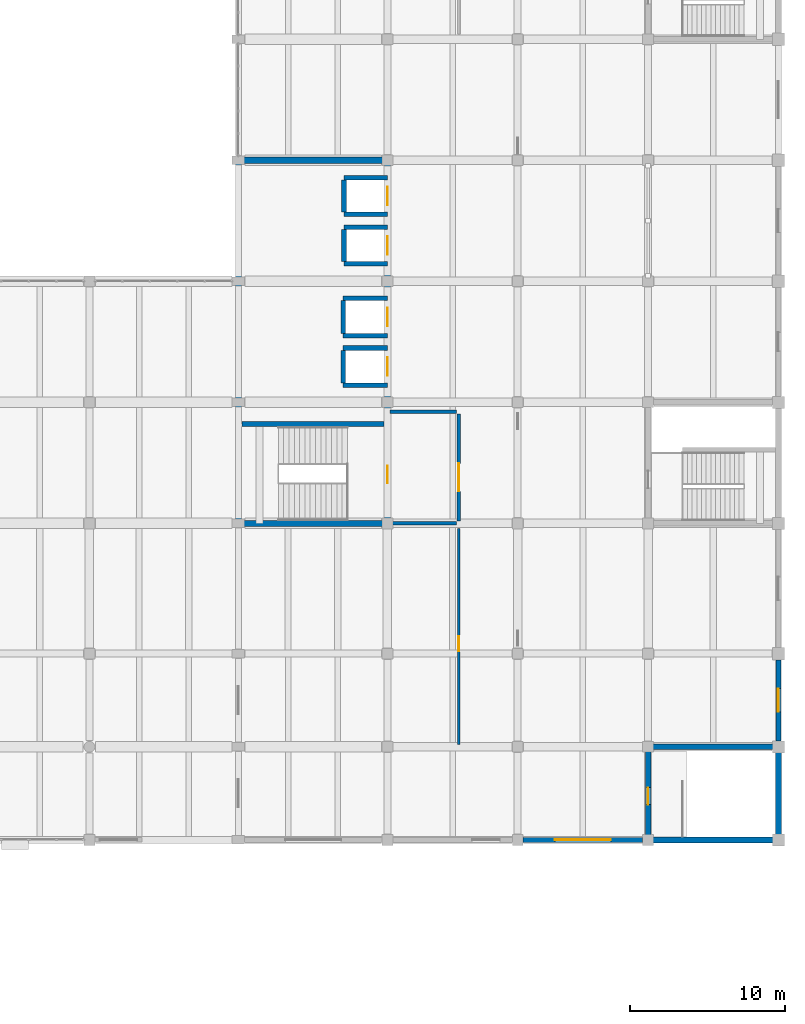
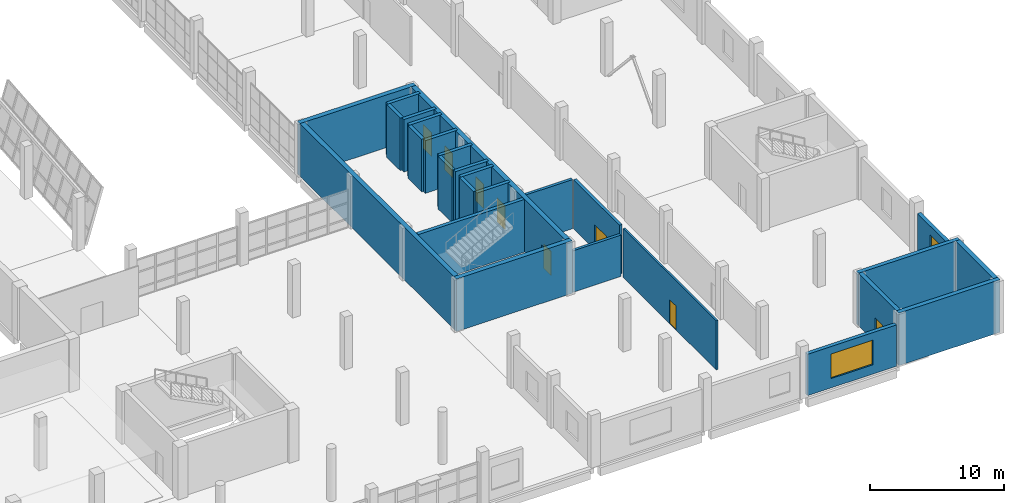
# One storey, part 84 of 91: 27 walls, 8 doors, 2 windows, 10 openings.
"""IFC4 building model written with IfcOpenShell, lengths in metres."""

from ifc_helpers import new_model, si_unit, direction, frame, frame_2d, origin, place, context, subcontext, project, spatial, rectangle, extrude, material, layer, layer_set, type_object, element, fill, save


model = new_model("IFC4")

# Units and contexts
model_context = context("Model", 3, precision=1e-05, world=origin(), true_north=direction((0.0, 1.0)))
body_context = subcontext(model_context, "Body", "Model", "MODEL_VIEW")
ifc_project = project(units=[si_unit("LENGTHUNIT", "METRE"), si_unit("AREAUNIT", "SQUARE_METRE"), si_unit("VOLUMEUNIT", "CUBIC_METRE"), si_unit("PLANEANGLEUNIT", "RADIAN"), si_unit("MASSUNIT", "GRAM", prefix="KILO")], contexts=[model_context])

# Site, building, storey
site_placement = place(None, origin())
site = spatial("IfcSite", under=ifc_project, at=site_placement, CompositionType="ELEMENT")
building_placement = place(site_placement, origin())
building = spatial("IfcBuilding", under=site, at=building_placement, Name="Pellamere Symphony Hall", CompositionType="ELEMENT")
storey_placement = place(building_placement, frame((0.0, 0.0, 5.39990234375)))
storey = spatial("IfcBuildingStorey", under=building, at=storey_placement, Name="L01", CompositionType="ELEMENT", Elevation=5.39990234375)

# Wall, opening, window
ifc_material_1 = material(Name="Precast concrete 40 MPa", Category="concrete")
ifc_layer_1 = layer(ifc_material_1, 0.320068359375, Name="Precast concrete 40 MPa")
ifc_layer_set_1 = layer_set([ifc_layer_1], Name="Precast concrete 40 MPa")
wall_type_1 = type_object("IfcWallType", Name="Exterior Wall EW-02 320mm", PredefinedType="SOLIDWALL", material=ifc_layer_set_1)
wall_1_placement = place(storey_placement, frame((156.35009765625, 18.0, 0.0), z_axis=(0.0, 0.0, 1.0), x_axis=(1.0, 0.0, 0.0)))
wall_1 = element("IfcWall", 1, at=wall_1_placement, inside=storey, type_object=wall_type_1, Name="Exterior Wall EW-02-084 (L01)", PredefinedType="SOLIDWALL", context=body_context, shape_type="SweptSolid", body=[
    extrude(rectangle(XDim=7.699951171875, YDim=0.320068359375, at=frame_2d((3.85009765625, 0.0))), origin(), (0.0, 0.0, 1.0), 3.780029296875),
])
opening_1_placement = place(wall_1_placement, frame((2.050048828125, 0.0, 0.85009765625)))
opening_1 = element("IfcOpeningElement", 2, at=opening_1_placement, cuts=wall_1, Name="Opening W049", PredefinedType="OPENING", context=body_context, shape_type="SweptSolid", body=[
    extrude(rectangle(XDim=3.60009765625, YDim=2.25, at=frame_2d((1.800048828125, 1.125))), frame((0.0, 0.169921875, 0.0), z_axis=(0.0, -1.0, 0.0), x_axis=(1.0, 0.0, 0.0)), (0.0, 0.0, 1.0), 0.340087890625),
])
ifc_material_2 = material(Name="Thermally Broken Aluminium Triple-Glazed Acoustic Window", Category="aluminium")
window_type_1 = type_object("IfcWindowType", Name="Window WN-05 3600x2250", PartitioningType="TRIPLE_PANEL_VERTICAL", PredefinedType="WINDOW", material=ifc_material_2)
window_1_placement = place(opening_1_placement, origin())
window_1 = element("IfcWindow", 3, at=window_1_placement, inside=storey, type_object=window_type_1, Name="Exterior Window W049 (L01)", OverallHeight=2.25, OverallWidth=3.60009765625, PartitioningType="SINGLE_PANEL", PredefinedType="WINDOW", context=body_context, shape_type="SweptSolid", body=[
    extrude(rectangle(XDim=3.60009765625, YDim=2.25, at=frame_2d((1.800048828125, 1.125))), frame((0.0, 0.030029296875, 0.0), z_axis=(0.0, -1.0, 0.0), x_axis=(1.0, 0.0, 0.0)), (0.0, 0.0, 1.0), 0.06005859375),
])
fill(opening_1, window_1)

wall_2_placement = place(storey_placement, frame((172.800048828125, 24.389892578125, 0.0), z_axis=(0.0, 0.0, 1.0), x_axis=(0.0, 1.0, 0.0)))
wall_2 = element("IfcWall", 4, at=wall_2_placement, inside=storey, type_object=wall_type_1, Name="Exterior Wall EW-02-087 (L01)", PredefinedType="SOLIDWALL", context=body_context, shape_type="SweptSolid", body=[
    extrude(rectangle(XDim=5.22021484375, YDim=0.320068359375, at=frame_2d((2.610107421875, 0.0))), origin(), (0.0, 0.0, 1.0), 3.800048828125),
])
opening_2_placement = place(wall_2_placement, frame((1.860107421875, 0.0, 0.89990234375)))
opening_2 = element("IfcOpeningElement", 5, at=opening_2_placement, cuts=wall_2, Name="Opening W052", PredefinedType="OPENING", context=body_context, shape_type="SweptSolid", body=[
    extrude(rectangle(XDim=1.5, YDim=2.10009765625, at=frame_2d((0.75, 1.050048828125))), frame((0.0, 0.169921875, 0.0), z_axis=(0.0, -1.0, 0.0), x_axis=(1.0, 0.0, 0.0)), (0.0, 0.0, 1.0), 0.340087890625),
])
window_type_2 = type_object("IfcWindowType", Name="Window WN-01 1500x2100", PartitioningType="SINGLE_PANEL", PredefinedType="WINDOW", material=ifc_material_2)
window_2_placement = place(opening_2_placement, origin())
window_2 = element("IfcWindow", 6, at=window_2_placement, inside=storey, type_object=window_type_2, Name="Exterior Window W052 (L01)", OverallHeight=2.10009765625, OverallWidth=1.5, PartitioningType="SINGLE_PANEL", PredefinedType="WINDOW", context=body_context, shape_type="SweptSolid", body=[
    extrude(rectangle(XDim=1.5, YDim=2.10009765625, at=frame_2d((0.75, 1.050048828125))), frame((0.0, 0.030029296875, 0.0), z_axis=(0.0, -1.0, 0.0), x_axis=(1.0, 0.0, 0.0)), (0.0, 0.0, 1.0), 0.06005859375),
])
fill(opening_2, window_2)

# Walls
ifc_material_3 = material(Name="Double-Stud STC-65 Acoustic Drywall Partition", Category="gypsum")
ifc_layer_2 = layer(ifc_material_3, 0.239990234375, Name="Double-Stud STC-65 Acoustic Drywall Partition")
ifc_layer_set_2 = layer_set([ifc_layer_2], Name="Double-Stud STC-65 Acoustic Drywall Partition")
wall_type_2 = type_object("IfcWallType", Name="Interior Partition IW-01 240mm", PredefinedType="PARTITIONING", material=ifc_layer_set_2)
wall_3_placement = place(storey_placement, frame((147.760009765625, 38.39990234375, 0.0), z_axis=(0.0, 0.0, 1.0), x_axis=(1.0, 0.0, 0.0)))
element("IfcWall", 7, at=wall_3_placement, inside=storey, type_object=wall_type_2, Name="Interior Partition IW-01-027 (L01)", PredefinedType="PARTITIONING", context=body_context, shape_type="SweptSolid", body=[
    extrude(rectangle(XDim=4.280029296875, YDim=0.239990234375, at=frame_2d((2.14013671875, 0.0))), origin(), (0.0, 0.0, 1.0), 3.780029296875),
])
wall_4_placement = place(storey_placement, frame((147.760009765625, 45.60009765625, 0.0), z_axis=(0.0, 0.0, 1.0), x_axis=(1.0, 0.0, 0.0)))
element("IfcWall", 8, at=wall_4_placement, inside=storey, type_object=wall_type_2, Name="Interior Partition IW-01-028 (L01)", PredefinedType="PARTITIONING", context=body_context, shape_type="SweptSolid", body=[
    extrude(rectangle(XDim=4.280029296875, YDim=0.239990234375, at=frame_2d((2.14013671875, 0.0))), origin(), (0.0, 0.0, 1.0), 4.489990234375),
])

# Wall, opening, door
wall_5_placement = place(storey_placement, frame((152.199951171875, 38.56005859375, 0.0), z_axis=(0.0, 0.0, 1.0), x_axis=(0.0, 1.0, 0.0)))
wall_5 = element("IfcWall", 9, at=wall_5_placement, inside=storey, type_object=wall_type_2, Name="Interior Partition IW-01-029 (L01)", PredefinedType="PARTITIONING", context=body_context, shape_type="SweptSolid", body=[
    extrude(rectangle(XDim=6.8798828125, YDim=0.239990234375, at=frame_2d((3.43994140625, 0.0))), origin(), (0.0, 0.0, 1.0), 4.489990234375),
])
opening_3_placement = place(wall_5_placement, frame((1.89990234375, 0.0, 0.0)))
opening_3 = element("IfcOpeningElement", 10, at=opening_3_placement, cuts=wall_5, Name="Opening FD-13", PredefinedType="OPENING", context=body_context, shape_type="SweptSolid", body=[
    extrude(rectangle(XDim=1.800048828125, YDim=2.300048828125, at=frame_2d((0.89990234375, 1.14990234375))), frame((0.0, 0.1298828125, 0.0), z_axis=(0.0, -1.0, 0.0), x_axis=(1.0, 0.0, 0.0)), (0.0, 0.0, 1.0), 0.260009765625),
])
ifc_material_4 = material(Name="Fire-Rated Cross-Corridor Double Door", Category="wood")
door_type_1 = type_object("IfcDoorType", Name="Interior Door ID-FD1 1800x2300", OperationType="NOTDEFINED", PredefinedType="DOOR", material=ifc_material_4)
door_1_placement = place(opening_3_placement, origin())
door_1 = element("IfcDoor", 11, at=door_1_placement, inside=storey, type_object=door_type_1, Name="Firefighting Lobby C2 Foyer Entry Door (L01)", OperationType="DOUBLE_DOOR_SINGLE_SWING", OverallHeight=2.300048828125, OverallWidth=1.800048828125, PredefinedType="DOOR", context=body_context, shape_type="SweptSolid", body=[
    extrude(rectangle(XDim=1.800048828125, YDim=2.300048828125, at=frame_2d((0.89990234375, 1.14990234375))), frame((0.0, 0.02490234375, 0.0), z_axis=(0.0, -1.0, 0.0), x_axis=(1.0, 0.0, 0.0)), (0.0, 0.0, 1.0), 0.050048828125),
])
fill(opening_3, door_1)

ifc_material_5 = material(Name="Practice Room STC-55 Isolated Stud Partition", Category="gypsum")
ifc_layer_3 = layer(ifc_material_5, 0.159912109375, Name="Practice Room STC-55 Isolated Stud Partition")
ifc_layer_set_3 = layer_set([ifc_layer_3], Name="Practice Room STC-55 Isolated Stud Partition")
wall_type_3 = type_object("IfcWallType", Name="Interior Partition IW-03 160mm", PredefinedType="PARTITIONING", material=ifc_layer_set_3)
wall_6_placement = place(storey_placement, frame((152.199951171875, 24.159912109375, 0.0), z_axis=(0.0, 0.0, 1.0), x_axis=(0.0, 1.0, 0.0)))
wall_6 = element("IfcWall", 12, at=wall_6_placement, inside=storey, type_object=wall_type_3, Name="Interior Partition IW-03-077 (L01)", PredefinedType="PARTITIONING", context=body_context, shape_type="SweptSolid", body=[
    extrude(rectangle(XDim=13.900146484375, YDim=0.159912109375, at=frame_2d((6.9501953125, 0.0))), origin(), (0.0, 0.0, 1.0), 4.489990234375),
])
opening_4_placement = place(wall_6_placement, frame((6.0, 0.0, 0.0)))
opening_4 = element("IfcOpeningElement", 13, at=opening_4_placement, cuts=wall_6, Name="Opening ID-AD3-037", PredefinedType="OPENING", context=body_context, shape_type="SweptSolid", body=[
    extrude(rectangle(XDim=0.97998046875, YDim=2.199951171875, at=frame_2d((0.489990234375, 1.10009765625))), frame((0.0, 0.08984375, 0.0), z_axis=(0.0, -1.0, 0.0), x_axis=(1.0, 0.0, 0.0)), (0.0, 0.0, 1.0), 0.179931640625),
])
ifc_material_6 = material(Name="STC-48 Acoustic Practice Room Door", Category="wood")
door_type_2 = type_object("IfcDoorType", Name="Interior Door ID-AD3 980x2200", OperationType="NOTDEFINED", PredefinedType="DOOR", material=ifc_material_6)
door_2_placement = place(opening_4_placement, origin())
door_2 = element("IfcDoor", 14, at=door_2_placement, inside=storey, type_object=door_type_2, Name="Strings Practice Suite A Door", OperationType="SINGLE_SWING_LEFT", OverallHeight=2.199951171875, OverallWidth=0.97998046875, PredefinedType="DOOR", context=body_context, shape_type="SweptSolid", body=[
    extrude(rectangle(XDim=0.97998046875, YDim=2.199951171875, at=frame_2d((0.489990234375, 1.10009765625))), frame((0.0, 0.02490234375, 0.0), z_axis=(0.0, -1.0, 0.0), x_axis=(1.0, 0.0, 0.0)), (0.0, 0.0, 1.0), 0.050048828125),
])
fill(opening_4, door_2)

# Walls
ifc_material_7 = material(Name="Concrete 50 MPa", Category="concrete")
ifc_layer_4 = layer(ifc_material_7, 0.39990234375, Name="Concrete 50 MPa")
ifc_layer_set_4 = layer_set([ifc_layer_4], Name="Concrete 50 MPa")
wall_type_4 = type_object("IfcWallType", Name="Structural Wall SW-02 400mm", PredefinedType="SHEAR", material=ifc_layer_set_4)
for number, where, z_axis, x_axis, name in (
    (15, (137.800048828125, 38.39990234375, 0.0), (0.0, 0.0, 1.0), (1.0, 0.0, 0.0), "Core Shear Wall C2 S (L01)"),
    (16, (137.800048828125, 61.800048828125, 0.0), (0.0, 0.0, 1.0), (1.0, 0.0, 0.0), "Core Shear Wall C2 N (L01)"),
):
    element("IfcWall", number, at=place(storey_placement, frame(where, z_axis=z_axis, x_axis=x_axis)), inside=storey, type_object=wall_type_4, Name=name, PredefinedType="SHEAR", context=body_context, shape_type="SweptSolid", body=[
        extrude(rectangle(XDim=10.0, YDim=0.39990234375, at=frame_2d((5.0, 0.0))), origin(), (0.0, 0.0, 1.0), 4.800048828125),
    ])
wall_7_placement = place(storey_placement, frame((138.0, 38.60009765625, 0.0), z_axis=(0.0, 0.0, 1.0), x_axis=(0.0, 1.0, 0.0)))
element("IfcWall", 17, at=wall_7_placement, inside=storey, type_object=wall_type_4, Name="Core Shear Wall C2 W (L01)", PredefinedType="SHEAR", context=body_context, shape_type="SweptSolid", body=[
    extrude(rectangle(XDim=23.0, YDim=0.39990234375, at=frame_2d((11.5, 0.0))), origin(), (0.0, 0.0, 1.0), 4.800048828125),
])

# Wall, openings, doors
wall_8_placement = place(storey_placement, frame((147.60009765625, 38.60009765625, 0.0), z_axis=(0.0, 0.0, 1.0), x_axis=(0.0, 1.0, 0.0)))
wall_8 = element("IfcWall", 18, at=wall_8_placement, inside=storey, type_object=wall_type_4, Name="Core Shear Wall C2 E (L01)", PredefinedType="SHEAR", context=body_context, shape_type="SweptSolid", body=[
    extrude(rectangle(XDim=23.0, YDim=0.39990234375, at=frame_2d((11.5, 0.0))), origin(), (0.0, 0.0, 1.0), 4.800048828125),
])
opening_5_placement = place(wall_8_placement, frame((9.300048828125, 0.0, 0.0)))
opening_5 = element("IfcOpeningElement", 19, at=opening_5_placement, cuts=wall_8, Name="Opening LD-15", PredefinedType="OPENING", context=body_context, shape_type="SweptSolid", body=[
    extrude(rectangle(XDim=1.199951171875, YDim=2.199951171875, at=frame_2d((0.60009765625, 1.10009765625))), frame((0.0, 0.2099609375, 0.0), z_axis=(0.0, -1.0, 0.0), x_axis=(1.0, 0.0, 0.0)), (0.0, 0.0, 1.0), 0.419921875),
])
opening_6_placement = place(wall_8_placement, frame((12.5, 0.0, 0.0)))
opening_6 = element("IfcOpeningElement", 20, at=opening_6_placement, cuts=wall_8, Name="Opening LD-23", PredefinedType="OPENING", context=body_context, shape_type="SweptSolid", body=[
    extrude(rectangle(XDim=1.199951171875, YDim=2.199951171875, at=frame_2d((0.60009765625, 1.10009765625))), frame((0.0, 0.2099609375, 0.0), z_axis=(0.0, -1.0, 0.0), x_axis=(1.0, 0.0, 0.0)), (0.0, 0.0, 1.0), 0.419921875),
])
opening_7_placement = place(wall_8_placement, frame((17.10009765625, 0.0, 0.0)))
opening_7 = element("IfcOpeningElement", 21, at=opening_7_placement, cuts=wall_8, Name="Opening LD-31", PredefinedType="OPENING", context=body_context, shape_type="SweptSolid", body=[
    extrude(rectangle(XDim=1.199951171875, YDim=2.199951171875, at=frame_2d((0.60009765625, 1.10009765625))), frame((0.0, 0.2099609375, 0.0), z_axis=(0.0, -1.0, 0.0), x_axis=(1.0, 0.0, 0.0)), (0.0, 0.0, 1.0), 0.419921875),
])
opening_8_placement = place(wall_8_placement, frame((20.300048828125, 0.0, 0.0)))
opening_8 = element("IfcOpeningElement", 22, at=opening_8_placement, cuts=wall_8, Name="Opening LD-38", PredefinedType="OPENING", context=body_context, shape_type="SweptSolid", body=[
    extrude(rectangle(XDim=1.199951171875, YDim=2.199951171875, at=frame_2d((0.60009765625, 1.10009765625))), frame((0.0, 0.2099609375, 0.0), z_axis=(0.0, -1.0, 0.0), x_axis=(1.0, 0.0, 0.0)), (0.0, 0.0, 1.0), 0.419921875),
])
opening_9_placement = place(wall_8_placement, frame((2.39990234375, 0.0, 0.0)))
opening_9 = element("IfcOpeningElement", 23, at=opening_9_placement, cuts=wall_8, Name="Opening SD-09", PredefinedType="OPENING", context=body_context, shape_type="SweptSolid", body=[
    extrude(rectangle(XDim=1.10009765625, YDim=2.199951171875, at=frame_2d((0.550048828125, 1.10009765625))), frame((0.0, 0.2099609375, 0.0), z_axis=(0.0, -1.0, 0.0), x_axis=(1.0, 0.0, 0.0)), (0.0, 0.0, 1.0), 0.419921875),
])
ifc_material_8 = material(Name="Stainless Steel AISI 316 Elevator Landing Door", Category="steel")
door_type_3 = type_object("IfcDoorType", Name="Interior Door ID-LD1 1200x2200", OperationType="NOTDEFINED", PredefinedType="DOOR", material=ifc_material_8)
door_3_placement = place(opening_5_placement, origin())
door_3 = element("IfcDoor", 24, at=door_3_placement, inside=storey, type_object=door_type_3, Name="Elevator FFL1 Sliding Landing Door (L01)", OperationType="SLIDING_TO_LEFT", OverallHeight=2.199951171875, OverallWidth=1.199951171875, PredefinedType="DOOR", context=body_context, shape_type="SweptSolid", body=[
    extrude(rectangle(XDim=1.199951171875, YDim=2.199951171875, at=frame_2d((0.60009765625, 1.10009765625))), frame((0.0, 0.02490234375, 0.0), z_axis=(0.0, -1.0, 0.0), x_axis=(1.0, 0.0, 0.0)), (0.0, 0.0, 1.0), 0.050048828125),
])
fill(opening_5, door_3)
door_4_placement = place(opening_6_placement, origin())
door_4 = element("IfcDoor", 25, at=door_4_placement, inside=storey, type_object=door_type_3, Name="Elevator FFL2 Sliding Landing Door (L01)", OperationType="SLIDING_TO_LEFT", OverallHeight=2.199951171875, OverallWidth=1.199951171875, PredefinedType="DOOR", context=body_context, shape_type="SweptSolid", body=[
    extrude(rectangle(XDim=1.199951171875, YDim=2.199951171875, at=frame_2d((0.60009765625, 1.10009765625))), frame((0.0, 0.02490234375, 0.0), z_axis=(0.0, -1.0, 0.0), x_axis=(1.0, 0.0, 0.0)), (0.0, 0.0, 1.0), 0.050048828125),
])
fill(opening_6, door_4)
door_5_placement = place(opening_7_placement, origin())
door_5 = element("IfcDoor", 26, at=door_5_placement, inside=storey, type_object=door_type_3, Name="Elevator PL3 Sliding Landing Door (L01)", OperationType="SLIDING_TO_LEFT", OverallHeight=2.199951171875, OverallWidth=1.199951171875, PredefinedType="DOOR", context=body_context, shape_type="SweptSolid", body=[
    extrude(rectangle(XDim=1.199951171875, YDim=2.199951171875, at=frame_2d((0.60009765625, 1.10009765625))), frame((0.0, 0.02490234375, 0.0), z_axis=(0.0, -1.0, 0.0), x_axis=(1.0, 0.0, 0.0)), (0.0, 0.0, 1.0), 0.050048828125),
])
fill(opening_7, door_5)
door_6_placement = place(opening_8_placement, origin())
door_6 = element("IfcDoor", 27, at=door_6_placement, inside=storey, type_object=door_type_3, Name="Elevator PL4 Sliding Landing Door (L01)", OperationType="SLIDING_TO_RIGHT", OverallHeight=2.199951171875, OverallWidth=1.199951171875, PredefinedType="DOOR", context=body_context, shape_type="SweptSolid", body=[
    extrude(rectangle(XDim=1.199951171875, YDim=2.199951171875, at=frame_2d((0.60009765625, 1.10009765625))), frame((0.0, 0.02490234375, 0.0), z_axis=(0.0, -1.0, 0.0), x_axis=(1.0, 0.0, 0.0)), (0.0, 0.0, 1.0), 0.050048828125),
])
fill(opening_8, door_6)
ifc_material_9 = material(Name="Fire-Rated Steel Exit Stair Door", Category="steel")
door_type_4 = type_object("IfcDoorType", Name="Interior Door ID-SD1 1100x2200", OperationType="NOTDEFINED", PredefinedType="DOOR", material=ifc_material_9)
door_7_placement = place(opening_9_placement, origin())
door_7 = element("IfcDoor", 28, at=door_7_placement, inside=storey, type_object=door_type_4, Name="Core C2 Exit Stair Door (L01)", OperationType="SINGLE_SWING_LEFT", OverallHeight=2.199951171875, OverallWidth=1.10009765625, PredefinedType="DOOR", context=body_context, shape_type="SweptSolid", body=[
    extrude(rectangle(XDim=1.10009765625, YDim=2.199951171875, at=frame_2d((0.550048828125, 1.10009765625))), frame((0.0, 0.02490234375, 0.0), z_axis=(0.0, -1.0, 0.0), x_axis=(1.0, 0.0, 0.0)), (0.0, 0.0, 1.0), 0.050048828125),
])
fill(opening_9, door_7)

# Wall
ifc_material_10 = material(Name="Concrete 40 MPa", Category="concrete")
ifc_layer_5 = layer(ifc_material_10, 0.35009765625, Name="Concrete 40 MPa")
ifc_layer_set_5 = layer_set([ifc_layer_5], Name="Concrete 40 MPa")
wall_type_5 = type_object("IfcWallType", Name="Structural Wall SW-03 350mm", PredefinedType="SHEAR", material=ifc_layer_set_5)
wall_9_placement = place(storey_placement, frame((164.22509765625, 24.0, 0.0), z_axis=(0.0, 0.0, 1.0), x_axis=(1.0, 0.0, 0.0)))
element("IfcWall", 29, at=wall_9_placement, inside=storey, type_object=wall_type_5, Name="Stair ST12 Enclosure Wall N (L01)", PredefinedType="SHEAR", context=body_context, shape_type="SweptSolid", body=[
    extrude(rectangle(XDim=8.75, YDim=0.35009765625, at=frame_2d((4.375, 0.0))), origin(), (0.0, 0.0, 1.0), 4.800048828125),
])

# Wall, opening, door
wall_10_placement = place(storey_placement, frame((164.39990234375, 18.175048828125, 0.0), z_axis=(0.0, 0.0, 1.0), x_axis=(0.0, 1.0, 0.0)))
wall_10 = element("IfcWall", 30, at=wall_10_placement, inside=storey, type_object=wall_type_5, Name="Stair ST12 Enclosure Wall W (L01)", PredefinedType="SHEAR", context=body_context, shape_type="SweptSolid", body=[
    extrude(rectangle(XDim=5.64990234375, YDim=0.35009765625, at=frame_2d((2.824951171875, 0.0))), origin(), (0.0, 0.0, 1.0), 4.800048828125),
])
opening_10_placement = place(wall_10_placement, frame((2.10009765625, 0.0, 0.0)))
opening_10 = element("IfcOpeningElement", 31, at=opening_10_placement, cuts=wall_10, Name="Opening SD-57", PredefinedType="OPENING", context=body_context, shape_type="SweptSolid", body=[
    extrude(rectangle(XDim=1.10009765625, YDim=2.199951171875, at=frame_2d((0.550048828125, 1.10009765625))), frame((0.0, 0.18505859375, 0.0), z_axis=(0.0, -1.0, 0.0), x_axis=(1.0, 0.0, 0.0)), (0.0, 0.0, 1.0), 0.3701171875),
])
door_8_placement = place(opening_10_placement, frame((1.10009765625, 0.0, 0.0), z_axis=(0.0, 0.0, 1.0), x_axis=(-1.0, 0.0, 0.0)))
door_8 = element("IfcDoor", 32, at=door_8_placement, inside=storey, type_object=door_type_4, Name="Exit Stair ST12 Door (L01)", OperationType="SINGLE_SWING_LEFT", OverallHeight=2.199951171875, OverallWidth=1.10009765625, PredefinedType="DOOR", context=body_context, shape_type="SweptSolid", body=[
    extrude(rectangle(XDim=1.10009765625, YDim=2.199951171875, at=frame_2d((0.550048828125, 1.10009765625))), frame((0.0, 0.02490234375, 0.0), z_axis=(0.0, -1.0, 0.0), x_axis=(1.0, 0.0, 0.0)), (0.0, 0.0, 1.0), 0.050048828125),
])
fill(opening_10, door_8)

# Walls
ifc_layer_6 = layer(ifc_material_10, 0.300048828125, Name="Concrete 40 MPa")
ifc_layer_set_6 = layer_set([ifc_layer_6], Name="Concrete 40 MPa")
wall_type_6 = type_object("IfcWallType", Name="Structural Wall SW-04 300mm", PredefinedType="SHEAR", material=ifc_layer_set_6)
for number, where, z_axis, x_axis, name in (
    (33, (144.75, 47.300048828125, 0.0), (0.0, 0.0, 1.0), (1.0, 0.0, 0.0), "Elevator FFL1 Hoistway Wall S (L01)"),
    (34, (144.75, 49.699951171875, 0.0), (0.0, 0.0, 1.0), (1.0, 0.0, 0.0), "Elevator FFL1 Hoistway Wall N (L01)"),
):
    element("IfcWall", number, at=place(storey_placement, frame(where, z_axis=z_axis, x_axis=x_axis)), inside=storey, type_object=wall_type_6, Name=name, PredefinedType="SHEAR", context=body_context, shape_type="SweptSolid", body=[
        extrude(rectangle(XDim=2.85009765625, YDim=0.300048828125, at=frame_2d((1.425048828125, 0.0))), origin(), (0.0, 0.0, 1.0), 4.800048828125),
    ])
wall_11_placement = place(storey_placement, frame((144.75, 47.449951171875, 0.0), z_axis=(0.0, 0.0, 1.0), x_axis=(0.0, 1.0, 0.0)))
element("IfcWall", 35, at=wall_11_placement, inside=storey, type_object=wall_type_6, Name="Elevator FFL1 Hoistway Wall W (L01)", PredefinedType="SHEAR", context=body_context, shape_type="SweptSolid", body=[
    extrude(rectangle(XDim=2.10009765625, YDim=0.300048828125, at=frame_2d((1.050048828125, 0.0))), origin(), (0.0, 0.0, 1.0), 4.800048828125),
])
for number, where, z_axis, x_axis, name in (
    (36, (144.75, 50.5, 0.0), (0.0, 0.0, 1.0), (1.0, 0.0, 0.0), "Elevator FFL2 Hoistway Wall S (L01)"),
    (37, (144.75, 52.89990234375, 0.0), (0.0, 0.0, 1.0), (1.0, 0.0, 0.0), "Elevator FFL2 Hoistway Wall N (L01)"),
):
    element("IfcWall", number, at=place(storey_placement, frame(where, z_axis=z_axis, x_axis=x_axis)), inside=storey, type_object=wall_type_6, Name=name, PredefinedType="SHEAR", context=body_context, shape_type="SweptSolid", body=[
        extrude(rectangle(XDim=2.85009765625, YDim=0.300048828125, at=frame_2d((1.425048828125, 0.0))), origin(), (0.0, 0.0, 1.0), 4.800048828125),
    ])
wall_12_placement = place(storey_placement, frame((144.75, 50.64990234375, 0.0), z_axis=(0.0, 0.0, 1.0), x_axis=(0.0, 1.0, 0.0)))
element("IfcWall", 38, at=wall_12_placement, inside=storey, type_object=wall_type_6, Name="Elevator FFL2 Hoistway Wall W (L01)", PredefinedType="SHEAR", context=body_context, shape_type="SweptSolid", body=[
    extrude(rectangle(XDim=2.10009765625, YDim=0.300048828125, at=frame_2d((1.050048828125, 0.0))), origin(), (0.0, 0.0, 1.0), 4.800048828125),
])
for number, where, z_axis, x_axis, name in (
    (39, (144.800048828125, 55.125, 0.0), (0.0, 0.0, 1.0), (1.0, 0.0, 0.0), "Elevator PL3 Hoistway Wall S (L01)"),
    (40, (144.800048828125, 57.47509765625, 0.0), (0.0, 0.0, 1.0), (1.0, 0.0, 0.0), "Elevator PL3 Hoistway Wall N (L01)"),
):
    element("IfcWall", number, at=place(storey_placement, frame(where, z_axis=z_axis, x_axis=x_axis)), inside=storey, type_object=wall_type_6, Name=name, PredefinedType="SHEAR", context=body_context, shape_type="SweptSolid", body=[
        extrude(rectangle(XDim=2.800048828125, YDim=0.300048828125, at=frame_2d((1.39990234375, 0.0))), origin(), (0.0, 0.0, 1.0), 4.800048828125),
    ])
wall_13_placement = place(storey_placement, frame((144.800048828125, 55.27490234375, 0.0), z_axis=(0.0, 0.0, 1.0), x_axis=(0.0, 1.0, 0.0)))
element("IfcWall", 41, at=wall_13_placement, inside=storey, type_object=wall_type_6, Name="Elevator PL3 Hoistway Wall W (L01)", PredefinedType="SHEAR", context=body_context, shape_type="SweptSolid", body=[
    extrude(rectangle(XDim=2.050048828125, YDim=0.300048828125, at=frame_2d((1.02490234375, 0.0))), origin(), (0.0, 0.0, 1.0), 4.800048828125),
])
for number, where, z_axis, x_axis, name in (
    (42, (144.800048828125, 58.324951171875, 0.0), (0.0, 0.0, 1.0), (1.0, 0.0, 0.0), "Elevator PL4 Hoistway Wall S (L01)"),
    (43, (144.800048828125, 60.675048828125, 0.0), (0.0, 0.0, 1.0), (1.0, 0.0, 0.0), "Elevator PL4 Hoistway Wall N (L01)"),
):
    element("IfcWall", number, at=place(storey_placement, frame(where, z_axis=z_axis, x_axis=x_axis)), inside=storey, type_object=wall_type_6, Name=name, PredefinedType="SHEAR", context=body_context, shape_type="SweptSolid", body=[
        extrude(rectangle(XDim=2.800048828125, YDim=0.300048828125, at=frame_2d((1.39990234375, 0.0))), origin(), (0.0, 0.0, 1.0), 4.800048828125),
    ])
wall_14_placement = place(storey_placement, frame((144.800048828125, 58.47509765625, 0.0), z_axis=(0.0, 0.0, 1.0), x_axis=(0.0, 1.0, 0.0)))
element("IfcWall", 44, at=wall_14_placement, inside=storey, type_object=wall_type_6, Name="Elevator PL4 Hoistway Wall W (L01)", PredefinedType="SHEAR", context=body_context, shape_type="SweptSolid", body=[
    extrude(rectangle(XDim=2.0498046875, YDim=0.300048828125, at=frame_2d((1.02490234375, 0.0))), origin(), (0.0, 0.0, 1.0), 4.800048828125),
])
ifc_layer_7 = layer(ifc_material_10, 0.3798828125, Name="Concrete 40 MPa")
ifc_layer_set_7 = layer_set([ifc_layer_7], Name="Concrete 40 MPa")
wall_type_7 = type_object("IfcWallType", Name="Structural Wall SW-07 380mm", PredefinedType="SHEAR", material=ifc_layer_set_7)
wall_15_placement = place(storey_placement, frame((164.22509765625, 18.0, 0.0), z_axis=(0.0, 0.0, 1.0), x_axis=(1.0, 0.0, 0.0)))
element("IfcWall", 45, at=wall_15_placement, inside=storey, type_object=wall_type_7, Name="Stair ST12 Enclosure Wall S (L01)", PredefinedType="SHEAR", context=body_context, shape_type="SweptSolid", body=[
    extrude(rectangle(XDim=8.75, YDim=0.3798828125, at=frame_2d((4.375, 0.0))), origin(), (0.0, 0.0, 1.0), 4.800048828125),
])
wall_16_placement = place(storey_placement, frame((172.800048828125, 18.175048828125, 0.0), z_axis=(0.0, 0.0, 1.0), x_axis=(0.0, 1.0, 0.0)))
element("IfcWall", 46, at=wall_16_placement, inside=storey, type_object=wall_type_7, Name="Stair ST12 Enclosure Wall E (L01)", PredefinedType="SHEAR", context=body_context, shape_type="SweptSolid", body=[
    extrude(rectangle(XDim=5.64990234375, YDim=0.3798828125, at=frame_2d((2.824951171875, 0.0))), origin(), (0.0, 0.0, 1.0), 4.800048828125),
])
ifc_layer_8 = layer(ifc_material_10, 0.31005859375, Name="Concrete 40 MPa")
ifc_layer_set_8 = layer_set([ifc_layer_8], Name="Concrete 40 MPa")
wall_type_8 = type_object("IfcWallType", Name="Structural Wall SW-08 310mm", PredefinedType="SHEAR", material=ifc_layer_set_8)
wall_17_placement = place(storey_placement, frame((138.219970703125, 44.800048828125, 0.0), z_axis=(0.0, 0.0, 1.0), x_axis=(1.0, 0.0, 0.0)))
element("IfcWall", 47, at=wall_17_placement, inside=storey, type_object=wall_type_8, Name="Core Stair Divider Wall C2 (L01)", PredefinedType="SHEAR", context=body_context, shape_type="SweptSolid", body=[
    extrude(rectangle(XDim=9.159912109375, YDim=0.31005859375, at=frame_2d((4.580078125, 0.0))), origin(), (0.0, 0.0, 1.0), 4.800048828125),
])

save(model, "model.ifc")
